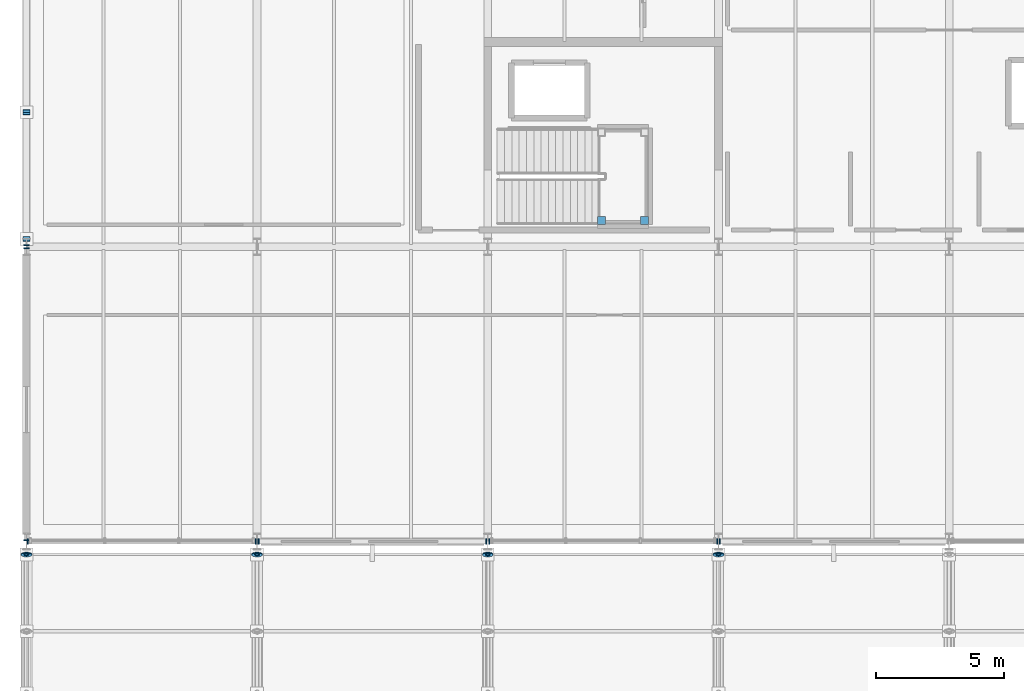
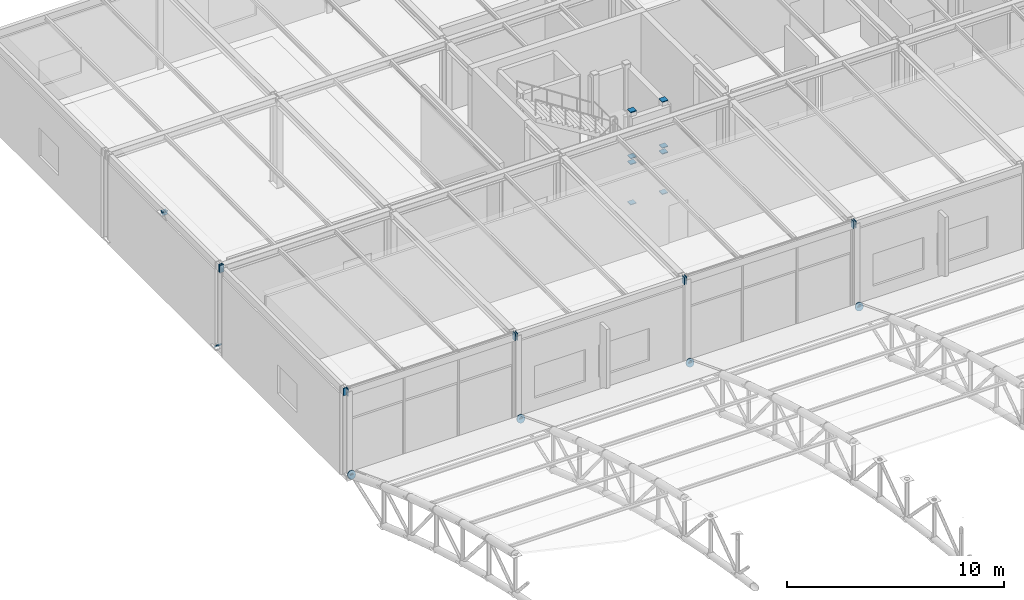
# One storey, part 137 of 195: 29 discrete accessories.
"""IFC4 building model written with IfcOpenShell, lengths in metres."""

import ifcopenshell
import ifcopenshell.guid

model = None  # the IFC model being written
_history = None  # IfcOwnerHistory: only IFC2X3 demands one
_inside = {}  # id of a spatial element -> (the spatial element, [elements in it])
_under = {}  # id of a project, library or spatial element -> (it, [spatial elements below it])
_declared = {}  # id of a project -> (the project, [libraries it declares])
_typed = {}  # id of a type object -> (the type object, [elements of that type])
_made_of = {}  # id of a material, layer set ... -> (it, [elements and type objects made of it])


def new_model(schema):
    """Start an empty IFC model of exactly this schema.

    Asked for "IFC4X3", IfcOpenShell would pick the latest addendum, in which some entities
    have other attributes; the version numbers below select the first issue.
    IFC2X3 requires an IfcOwnerHistory on every rooted entity: one is made here for all.
    """
    global model, _history
    if schema == "IFC4X3":
        model = ifcopenshell.file(schema_version=(4, 3, 0, 0))
    else:
        model = ifcopenshell.file(schema=schema)
    _inside.clear()
    _under.clear()
    _declared.clear()
    _typed.clear()
    _made_of.clear()
    _history = None
    if model.schema == "IFC2X3":
        org = make("IfcOrganization", Name="unknown")
        user = make(
            "IfcPersonAndOrganization",
            ThePerson=make("IfcPerson", FamilyName="unknown"),
            TheOrganization=org,
        )
        app = make(
            "IfcApplication",
            ApplicationDeveloper=org,
            Version="unknown",
            ApplicationFullName="unknown",
            ApplicationIdentifier="unknown",
        )
        _history = make(
            "IfcOwnerHistory",
            OwningUser=user,
            OwningApplication=app,
            ChangeAction="ADDED",
            CreationDate=0,
        )
    return model


def make(cls, **values):
    """One entity of the class cls with the attributes given. An attribute that is None is left unset."""
    return model.create_entity(
        cls, **{name: value for name, value in values.items() if value is not None}
    )


def rooted(cls, **values):
    """An entity with a GlobalId (a new one), such as an element, a storey or a relation."""
    return make(cls, GlobalId=ifcopenshell.guid.new(), OwnerHistory=_history, **values)


def si_unit(unit_type, name, prefix=None):
    """IfcSIUnit, for example si_unit("LENGTHUNIT", "METRE", prefix="MILLI")."""
    return make("IfcSIUnit", UnitType=unit_type, Prefix=prefix, Name=name)


def assignment(units):
    """IfcUnitAssignment: the units of a project."""
    return None if units is None else make("IfcUnitAssignment", Units=units)


def point(xyz):
    """IfcCartesianPoint."""
    return None if xyz is None else make("IfcCartesianPoint", Coordinates=xyz)


def direction(xyz):
    """IfcDirection."""
    return None if xyz is None else make("IfcDirection", DirectionRatios=xyz)


def frame(location, z_axis=None, x_axis=None):
    """IfcAxis2Placement3D, a coordinate frame: its origin and axes. An axis left out is left unset."""
    return make(
        "IfcAxis2Placement3D",
        Location=point(location),
        Axis=direction(z_axis),
        RefDirection=direction(x_axis),
    )


def frame_2d(location, x_axis=None):
    """IfcAxis2Placement2D, a coordinate frame in the plane: its origin and x axis."""
    return make(
        "IfcAxis2Placement2D", Location=point(location), RefDirection=direction(x_axis)
    )


def origin():
    """The frame at (0, 0, 0) with its axes left unset."""
    return frame((0.0, 0.0, 0.0))


def origin_2d():
    """The frame at (0, 0) in the plane with its x axis left unset."""
    return frame_2d((0.0, 0.0))


def place(relative_to, where):
    """IfcLocalPlacement: puts the frame where relative to a parent placement (None: the world)."""
    return make(
        "IfcLocalPlacement", PlacementRelTo=relative_to, RelativePlacement=where
    )


def context(
    kind, dimensions, precision=None, world=None, true_north=None, identifier=None
):
    """IfcGeometricRepresentationContext, for example the 3D "Model" context."""
    return make(
        "IfcGeometricRepresentationContext",
        ContextIdentifier=identifier,
        ContextType=kind,
        CoordinateSpaceDimension=dimensions,
        Precision=precision,
        WorldCoordinateSystem=world,
        TrueNorth=true_north,
    )


def subcontext(parent, identifier, kind, view, scale=None):
    """IfcGeometricRepresentationSubContext, for example "Body" below "Model"."""
    return make(
        "IfcGeometricRepresentationSubContext",
        ContextIdentifier=identifier,
        ContextType=kind,
        ParentContext=parent,
        TargetScale=scale,
        TargetView=view,
    )


def project(units=None, contexts=None):
    """IfcProject with its units and contexts."""
    return rooted(
        "IfcProject",
        Name="project",
        RepresentationContexts=contexts,
        UnitsInContext=assignment(units),
    )


def spatial(cls, under=None, at=None, **own):
    """A site, building, storey or space (cls), placed at a placement, below another one or the project."""
    s = rooted(cls, ObjectPlacement=at, **own)
    if under is not None:
        _under.setdefault(under.id(), (under, []))[1].append(s)
    return s


def profile(cls, at=None, kind="AREA", **sizes):
    """A parametric profile (cls). Its sizes go by their IFC names, for example OverallWidth=200.0."""
    return make(cls, ProfileType=kind, Position=at, **sizes)


def rectangle(**sizes):
    """IfcRectangleProfileDef."""
    return profile("IfcRectangleProfileDef", **sizes)


def circle(**sizes):
    """IfcCircleProfileDef."""
    return profile("IfcCircleProfileDef", **sizes)


def extrude(swept, where, along, depth):
    """IfcExtrudedAreaSolid: the profile swept, set in the frame where, extruded along a direction by depth."""
    return make(
        "IfcExtrudedAreaSolid",
        SweptArea=swept,
        Position=where,
        ExtrudedDirection=direction(along),
        Depth=depth,
    )


def shape(context_of_items, identifier, shape_type, items):
    """IfcShapeRepresentation: the items that make up one representation, for example the "Body"."""
    return make(
        "IfcShapeRepresentation",
        ContextOfItems=context_of_items,
        RepresentationIdentifier=identifier,
        RepresentationType=shape_type,
        Items=items,
    )


def material(Name=None, Category=None):
    """IfcMaterial."""
    return make("IfcMaterial", Name=Name, Category=Category)


def made_of(thing, what):
    """Note that an element or type object is made of a material, layer set ...; save() writes the relation."""
    if what is not None:
        _made_of.setdefault(what.id(), (what, []))[1].append(thing)
    return thing


def element(
    cls,
    number,
    at=None,
    inside=None,
    cuts=None,
    type_object=None,
    material=None,
    context=None,
    identifier="Body",
    shape_type=None,
    held_by="IfcProductDefinitionShape",
    body=None,
    shapes=None,
    **own,
):
    """One element of the class cls, such as IfcWall. Its Tag is "e" and its number.

    at: its placement. inside: the storey or other place that contains it. cuts: it is an
    opening in that element (IfcRelVoidsElement). A single representation is given by context,
    identifier, shape_type and body (its items); several are given by shapes. held_by: the class
    of the entity that holds the representations. save() writes the other relations.
    """
    e = rooted(cls, Tag="e%d" % number, ObjectPlacement=at, **own)
    if body is not None:
        shapes = [shape(context, identifier, shape_type, body)]
    if shapes is not None:
        e.Representation = make(held_by, Representations=shapes)
    if inside is not None:
        _inside.setdefault(inside.id(), (inside, []))[1].append(e)
    if cuts is not None:
        rooted(
            "IfcRelVoidsElement", RelatingBuildingElement=cuts, RelatedOpeningElement=e
        )
    if type_object is not None:
        _typed.setdefault(type_object.id(), (type_object, []))[1].append(e)
    return made_of(e, material)


def aggregate(whole, parts):
    """IfcRelAggregates: a whole, such as a stair, and the parts it consists of."""
    return rooted("IfcRelAggregates", RelatingObject=whole, RelatedObjects=parts)


def save(model, path):
    """Write the relations noted so far, then the file.

    IfcRelAggregates (storeys below a building ...), IfcRelContainedInSpatialStructure (elements
    in a storey), IfcRelDefinesByType, IfcRelAssociatesMaterial and IfcRelDeclares: one each for
    every whole, place, type object, material and project.
    """
    for whole, parts in _under.values():
        aggregate(whole, parts)
    for where, things in _inside.values():
        rooted(
            "IfcRelContainedInSpatialStructure",
            RelatedElements=things,
            RelatingStructure=where,
        )
    for kind, things in _typed.values():
        rooted("IfcRelDefinesByType", RelatedObjects=things, RelatingType=kind)
    for what, things in _made_of.values():
        rooted("IfcRelAssociatesMaterial", RelatedObjects=things, RelatingMaterial=what)
    for by, libraries in _declared.values():
        rooted("IfcRelDeclares", RelatingContext=by, RelatedDefinitions=libraries)
    model.write(path)


model = new_model("IFC4")

# Units and contexts
model_context = context("Model", 3, precision=1e-05, world=origin(), true_north=direction((0.0, 1.0)))
body_context = subcontext(model_context, "Body", "Model", "MODEL_VIEW")
ifc_project = project(units=[si_unit("LENGTHUNIT", "METRE"), si_unit("AREAUNIT", "SQUARE_METRE"), si_unit("VOLUMEUNIT", "CUBIC_METRE"), si_unit("PLANEANGLEUNIT", "RADIAN"), si_unit("MASSUNIT", "GRAM", prefix="KILO")], contexts=[model_context])

# Site, building, storey
site_placement = place(None, origin())
site = spatial("IfcSite", under=ifc_project, at=site_placement, CompositionType="ELEMENT")
building_placement = place(site_placement, origin())
building = spatial("IfcBuilding", under=site, at=building_placement, Name="Marlcrest Central Station", CompositionType="ELEMENT")
storey_placement = place(building_placement, frame((0.0, 0.0, 9.800048828125)))
storey = spatial("IfcBuildingStorey", under=building, at=storey_placement, Name="L02", CompositionType="ELEMENT", Elevation=9.800048828125)

# Discrete accessories
ifc_material = material(Name="Steel S355", Category="steel")
for number, where, z_axis, x_axis, name in (
    (1, (0.03515625, 99.0, 4.800048828125), (1.0, 0.0, 0.0), (0.0, 1.0, 0.0), "endcap-bm-SP-01-L02-00348-s"),
    (2, (8.925048828125, 99.0, 4.800048828125), (1.0, 0.0, 0.0), (0.0, 1.0, 0.0), "endcap-bm-SP-01-L02-00348-e"),
    (3, (9.03515625, 99.0, 4.800048828125), (1.0, 0.0, 0.0), (0.0, 1.0, 0.0), "endcap-bm-SP-01-L02-00349-s"),
    (4, (17.925048828125, 99.0, 4.800048828125), (1.0, 0.0, 0.0), (0.0, 1.0, 0.0), "endcap-bm-SP-01-L02-00349-e"),
    (5, (18.03515625, 99.0, 4.800048828125), (1.0, 0.0, 0.0), (0.0, 1.0, 0.0), "endcap-bm-SP-01-L02-00350-s"),
    (6, (26.925048828125, 99.0, 4.800048828125), (1.0, 0.0, 0.0), (0.0, 1.0, 0.0), "endcap-bm-SP-01-L02-00350-e"),
    (7, (27.03515625, 99.0, 4.800048828125), (1.0, 0.0, 0.0), (0.0, 1.0, 0.0), "endcap-bm-SP-01-L02-00351-s"),
    (8, (0.0, 99.03515625, 4.800048828125), (0.0, 1.0, 0.0), (-1.0, 0.0, 0.0), "endcap-bm-SP-01-L02-00384-s"),
    (9, (0.0, 110.425048828125, 4.800048828125), (0.0, 1.0, 0.0), (-1.0, 0.0, 0.0), "endcap-bm-SP-01-L02-00384-e"),
    (10, (0.0, 110.53515625, 4.800048828125), (0.0, 1.0, 0.0), (-1.0, 0.0, 0.0), "endcap-bm-SP-01-L02-00385-s"),
):
    element("IfcDiscreteAccessory", number, at=place(storey_placement, frame(where, z_axis=z_axis, x_axis=x_axis)), inside=storey, material=ifc_material, Name=name, ObjectType="END_CAP_PLATE", PredefinedType="BRACKET", context=body_context, shape_type="SweptSolid", body=[
        extrude(rectangle(XDim=0.216064453125, YDim=0.416015625, at=origin_2d()), origin(), (0.0, 0.0, 1.0), 0.0400390625),
    ])
for number, where, z_axis, x_axis, name in (
    (11, (0.0, 110.7890625, 0.239990234375), (0.0, 0.739936770669, 0.672676426978), (-1.0, 0.0, 0.0), "endcap-mem-BF-02-L02-00005-s"),
    (12, (0.0, 115.7314453125, 4.733154296875), (0.0, 0.739936770669, 0.672676426978), (-1.0, 0.0, 0.0), "endcap-mem-BF-02-L02-00005-e"),
    (13, (0.0, 115.7685546875, 4.733154296875), (0.0, -0.739936770669, 0.672676426978), (1.0, 0.0, 0.0), "endcap-mem-BF-02-L02-00006-e"),
):
    element("IfcDiscreteAccessory", number, at=place(storey_placement, frame(where, z_axis=z_axis, x_axis=x_axis)), inside=storey, material=ifc_material, Name=name, ObjectType="END_CAP_PLATE", PredefinedType="BRACKET", context=body_context, shape_type="SweptSolid", body=[
        extrude(rectangle(XDim=0.26611328125, YDim=0.26611328125, at=origin_2d()), origin(), (0.0, 0.0, 1.0), 0.0400390625),
    ])
discrete_accessory_1_placement = place(storey_placement, frame((0.0, 98.4765625, 0.454833984375), z_axis=(0.0, 0.933324071143, -0.359035065453), x_axis=(-1.0, 0.0, 0.0)))
element("IfcDiscreteAccessory", 14, at=discrete_accessory_1_placement, inside=storey, material=ifc_material, Name="endcap-mem-AC-01-L02-00159-e", ObjectType="END_CAP_PLATE", PredefinedType="BRACKET", context=body_context, shape_type="SweptSolid", body=[
    extrude(circle(Radius=0.211181640625, at=origin_2d()), origin(), (0.0, 0.0, 1.0), 0.0400390625),
])
discrete_accessory_2_placement = place(storey_placement, frame((0.0, 98.476318359375, 0.4375), z_axis=(0.0, 0.944260188635, 0.329200085296), x_axis=(-1.0, 0.0, 0.0)))
element("IfcDiscreteAccessory", 15, at=discrete_accessory_2_placement, inside=storey, material=ifc_material, Name="endcap-mem-AD-01-L02-00161-e", ObjectType="END_CAP_PLATE", PredefinedType="BRACKET", context=body_context, shape_type="SweptSolid", body=[
    extrude(circle(Radius=0.092041015625, at=origin_2d()), origin(), (0.0, 0.0, 1.0), 0.0400390625),
])
discrete_accessory_3_placement = place(storey_placement, frame((9.0, 98.4765625, 0.454833984375), z_axis=(0.0, 0.933324071143, -0.359035065453), x_axis=(-1.0, 0.0, 0.0)))
element("IfcDiscreteAccessory", 16, at=discrete_accessory_3_placement, inside=storey, material=ifc_material, Name="endcap-mem-AC-01-L02-00275-e", ObjectType="END_CAP_PLATE", PredefinedType="BRACKET", context=body_context, shape_type="SweptSolid", body=[
    extrude(circle(Radius=0.211181640625, at=origin_2d()), origin(), (0.0, 0.0, 1.0), 0.0400390625),
])
discrete_accessory_4_placement = place(storey_placement, frame((9.0, 98.476318359375, 0.4375), z_axis=(0.0, 0.944260188635, 0.329200085296), x_axis=(-1.0, 0.0, 0.0)))
element("IfcDiscreteAccessory", 17, at=discrete_accessory_4_placement, inside=storey, material=ifc_material, Name="endcap-mem-AD-01-L02-00277-e", ObjectType="END_CAP_PLATE", PredefinedType="BRACKET", context=body_context, shape_type="SweptSolid", body=[
    extrude(circle(Radius=0.092041015625, at=origin_2d()), origin(), (0.0, 0.0, 1.0), 0.0400390625),
])
discrete_accessory_5_placement = place(storey_placement, frame((18.0, 98.4765625, 0.454833984375), z_axis=(0.0, 0.933324071143, -0.359035065453), x_axis=(-1.0, 0.0, 0.0)))
element("IfcDiscreteAccessory", 18, at=discrete_accessory_5_placement, inside=storey, material=ifc_material, Name="endcap-mem-AC-01-L02-00391-e", ObjectType="END_CAP_PLATE", PredefinedType="BRACKET", context=body_context, shape_type="SweptSolid", body=[
    extrude(circle(Radius=0.211181640625, at=origin_2d()), origin(), (0.0, 0.0, 1.0), 0.0400390625),
])
discrete_accessory_6_placement = place(storey_placement, frame((18.0, 98.476318359375, 0.4375), z_axis=(0.0, 0.944260188635, 0.329200085296), x_axis=(-1.0, 0.0, 0.0)))
element("IfcDiscreteAccessory", 19, at=discrete_accessory_6_placement, inside=storey, material=ifc_material, Name="endcap-mem-AD-01-L02-00393-e", ObjectType="END_CAP_PLATE", PredefinedType="BRACKET", context=body_context, shape_type="SweptSolid", body=[
    extrude(circle(Radius=0.092041015625, at=origin_2d()), origin(), (0.0, 0.0, 1.0), 0.0400390625),
])
discrete_accessory_7_placement = place(storey_placement, frame((27.0, 98.4765625, 0.454833984375), z_axis=(0.0, 0.933324071143, -0.359035065453), x_axis=(-1.0, 0.0, 0.0)))
element("IfcDiscreteAccessory", 20, at=discrete_accessory_7_placement, inside=storey, material=ifc_material, Name="endcap-mem-AC-01-L02-00507-e", ObjectType="END_CAP_PLATE", PredefinedType="BRACKET", context=body_context, shape_type="SweptSolid", body=[
    extrude(circle(Radius=0.211181640625, at=origin_2d()), origin(), (0.0, 0.0, 1.0), 0.0400390625),
])
discrete_accessory_8_placement = place(storey_placement, frame((27.0, 98.476318359375, 0.4375), z_axis=(0.0, 0.944260188635, 0.329200085296), x_axis=(-1.0, 0.0, 0.0)))
element("IfcDiscreteAccessory", 21, at=discrete_accessory_8_placement, inside=storey, material=ifc_material, Name="endcap-mem-AD-01-L02-00509-e", ObjectType="END_CAP_PLATE", PredefinedType="BRACKET", context=body_context, shape_type="SweptSolid", body=[
    extrude(circle(Radius=0.092041015625, at=origin_2d()), origin(), (0.0, 0.0, 1.0), 0.0400390625),
])
for number, where, z_axis, x_axis, name in (
    (22, (22.43994140625, 111.530029296875, -0.014892578125), (0.0, 0.0, 1.0), (1.0, 0.0, 0.0), "endcap-htcol-lo-0048-0-s"),
    (23, (22.43994140625, 111.530029296875, 2.255126953125), (0.0, 0.0, 1.0), (1.0, 0.0, 0.0), "endcap-htcol-lo-0048-0-e"),
    (24, (22.43994140625, 111.530029296875, 2.5849609375), (0.0, 0.0, 1.0), (1.0, 0.0, 0.0), "endcap-htcol-hi-0048-0-s"),
    (25, (22.43994140625, 111.530029296875, 5.175048828125), (0.0, 0.0, 1.0), (1.0, 0.0, 0.0), "endcap-htcol-hi-0048-0-e"),
    (26, (24.1201171875, 111.530029296875, -0.014892578125), (0.0, 0.0, 1.0), (1.0, 0.0, 0.0), "endcap-htcol-lo-0048-1-s"),
    (27, (24.1201171875, 111.530029296875, 2.255126953125), (0.0, 0.0, 1.0), (1.0, 0.0, 0.0), "endcap-htcol-lo-0048-1-e"),
    (28, (24.1201171875, 111.530029296875, 2.5849609375), (0.0, 0.0, 1.0), (1.0, 0.0, 0.0), "endcap-htcol-hi-0048-1-s"),
    (29, (24.1201171875, 111.530029296875, 5.175048828125), (0.0, 0.0, 1.0), (1.0, 0.0, 0.0), "endcap-htcol-hi-0048-1-e"),
):
    element("IfcDiscreteAccessory", number, at=place(storey_placement, frame(where, z_axis=z_axis, x_axis=x_axis)), inside=storey, material=ifc_material, Name=name, ObjectType="END_CAP_PLATE", PredefinedType="BRACKET", context=body_context, shape_type="SweptSolid", body=[
        extrude(rectangle(XDim=0.31591796875, YDim=0.31591796875, at=origin_2d()), origin(), (0.0, 0.0, 1.0), 0.0400390625),
    ])

save(model, "model.ifc")
